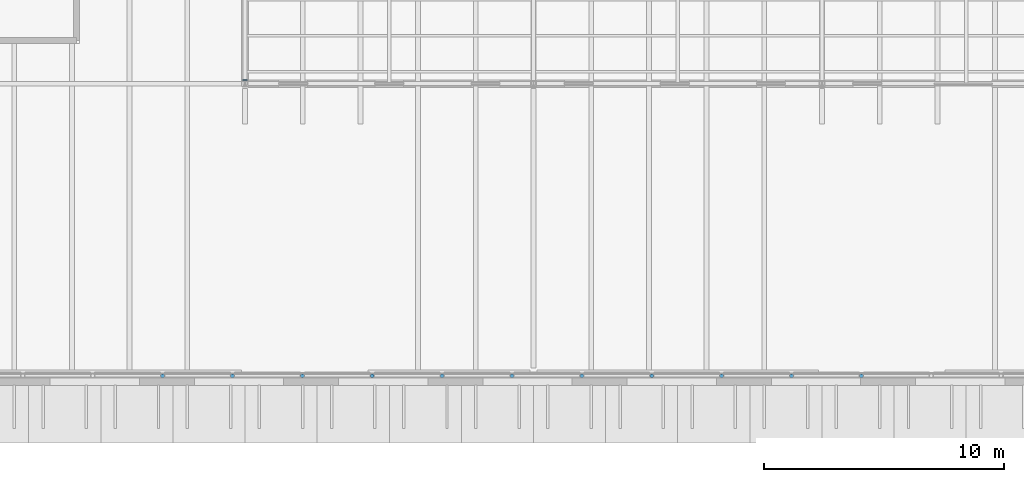
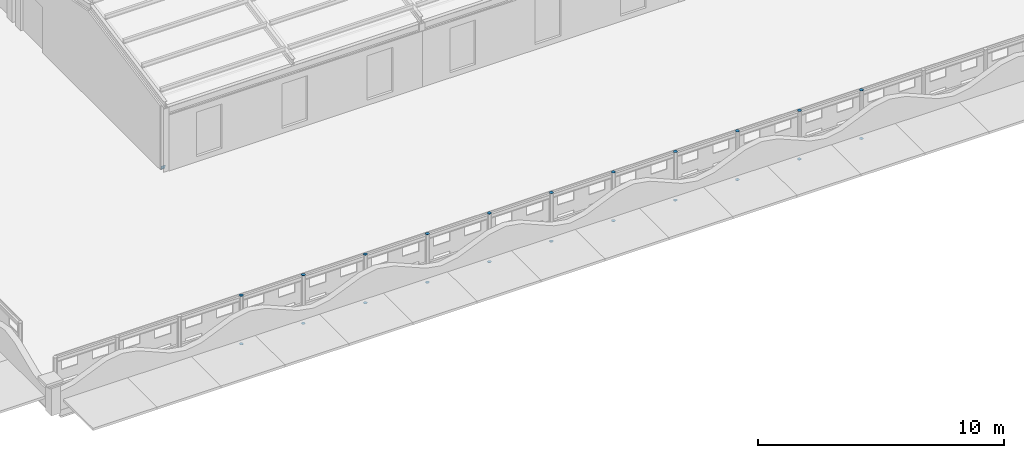
# One storey, part 74 of 91: 23 discrete accessories.
"""IFC4 building model written with IfcOpenShell, lengths in metres."""

from ifc_helpers import new_model, si_unit, direction, frame, origin, origin_2d, place, context, subcontext, project, spatial, rectangle, circle, extrude, material, material_profile, profile_set, type_object, element, save


model = new_model("IFC4")

# Units and contexts
model_context = context("Model", 3, precision=1e-05, world=origin(), true_north=direction((0.0, 1.0)))
body_context = subcontext(model_context, "Body", "Model", "MODEL_VIEW")
ifc_project = project(units=[si_unit("LENGTHUNIT", "METRE"), si_unit("AREAUNIT", "SQUARE_METRE"), si_unit("VOLUMEUNIT", "CUBIC_METRE"), si_unit("PLANEANGLEUNIT", "RADIAN"), si_unit("MASSUNIT", "GRAM", prefix="KILO")], contexts=[model_context])

# Site, building, storey
site_placement = place(None, origin())
site = spatial("IfcSite", under=ifc_project, at=site_placement, CompositionType="ELEMENT")
building_placement = place(site_placement, origin())
building = spatial("IfcBuilding", under=site, at=building_placement, Name="Ravi Spectrum Wholesale Market", CompositionType="ELEMENT")
storey_placement = place(building_placement, frame((0.0, 0.0, 16.199951171875)))
storey = spatial("IfcBuildingStorey", under=building, at=storey_placement, Name="ROOF PLANT LEVEL", CompositionType="ELEMENT", Elevation=16.199951171875)

# Discrete accessories
ifc_material_1 = material(Name="Steel S355", Category="steel")
ifc_material_profile_1 = material_profile(ifc_material_1, circle(Radius=0.084228515625, at=origin_2d()))
ifc_profile_set_1 = profile_set([ifc_material_profile_1], Name="Steel S355")
discrete_accessory_type_1 = type_object("IfcDiscreteAccessoryType", Name="End plate CHS 168.3x6.3", PredefinedType="BRACKET", material=ifc_profile_set_1)
for number, where, z_axis, x_axis, name in (
    (1, (206.57080078125, 17.85009765625, 0.0), (0.0, 0.0, -1.0), (1.0, 0.0, 0.0), "End plate"),
    (2, (206.57080078125, 17.85009765625, 2.400146484375), (0.0, 0.0, 1.0), (1.0, 0.0, 0.0), "End plate"),
    (3, (209.4775390625, 17.85009765625, 0.0), (0.0, 0.0, -1.0), (1.0, 0.0, 0.0), "End plate"),
    (4, (209.4775390625, 17.85009765625, 2.400146484375), (0.0, 0.0, 1.0), (1.0, 0.0, 0.0), "End plate"),
    (5, (212.384521484375, 17.85009765625, 0.0), (0.0, 0.0, -1.0), (1.0, 0.0, 0.0), "End plate"),
    (6, (212.384521484375, 17.85009765625, 2.400146484375), (0.0, 0.0, 1.0), (1.0, 0.0, 0.0), "End plate"),
    (7, (215.291259765625, 17.85009765625, 0.0), (0.0, 0.0, -1.0), (1.0, 0.0, 0.0), "End plate"),
    (8, (215.291259765625, 17.85009765625, 2.400146484375), (0.0, 0.0, 1.0), (1.0, 0.0, 0.0), "End plate"),
    (9, (218.1982421875, 17.85009765625, 0.0), (0.0, 0.0, -1.0), (1.0, 0.0, 0.0), "End plate"),
    (10, (218.1982421875, 17.85009765625, 2.400146484375), (0.0, 0.0, 1.0), (1.0, 0.0, 0.0), "End plate"),
    (11, (221.105224609375, 17.85009765625, 0.0), (0.0, 0.0, -1.0), (1.0, 0.0, 0.0), "End plate"),
    (12, (221.105224609375, 17.85009765625, 2.400146484375), (0.0, 0.0, 1.0), (1.0, 0.0, 0.0), "End plate"),
    (13, (224.011962890625, 17.85009765625, 0.0), (0.0, 0.0, -1.0), (1.0, 0.0, 0.0), "End plate"),
    (14, (224.011962890625, 17.85009765625, 2.400146484375), (0.0, 0.0, 1.0), (1.0, 0.0, 0.0), "End plate"),
    (15, (226.9189453125, 17.85009765625, 0.0), (0.0, 0.0, -1.0), (1.0, 0.0, 0.0), "End plate"),
    (16, (226.9189453125, 17.85009765625, 2.400146484375), (0.0, 0.0, 1.0), (1.0, 0.0, 0.0), "End plate"),
    (17, (229.825927734375, 17.85009765625, 0.0), (0.0, 0.0, -1.0), (1.0, 0.0, 0.0), "End plate"),
    (18, (229.825927734375, 17.85009765625, 2.400146484375), (0.0, 0.0, 1.0), (1.0, 0.0, 0.0), "End plate"),
    (19, (232.732666015625, 17.85009765625, 0.0), (0.0, 0.0, -1.0), (1.0, 0.0, 0.0), "End plate"),
    (20, (232.732666015625, 17.85009765625, 2.400146484375), (0.0, 0.0, 1.0), (1.0, 0.0, 0.0), "End plate"),
    (21, (235.6396484375, 17.85009765625, 0.0), (0.0, 0.0, -1.0), (1.0, 0.0, 0.0), "End plate"),
    (22, (235.6396484375, 17.85009765625, 2.400146484375), (0.0, 0.0, 1.0), (1.0, 0.0, 0.0), "End plate"),
):
    element("IfcDiscreteAccessory", number, at=place(storey_placement, frame(where, z_axis=z_axis, x_axis=x_axis)), inside=storey, type_object=discrete_accessory_type_1, Name=name, PredefinedType="BRACKET", context=body_context, shape_type="SweptSolid", body=[
        extrude(circle(Radius=0.084228515625, at=origin_2d()), origin(), (0.0, 0.0, 1.0), 0.011962890625),
    ])
ifc_material_2 = material(Name="Steel S355", Category="steel")
ifc_material_profile_2 = material_profile(ifc_material_2, rectangle(XDim=0.199951171875, YDim=0.199951171875, at=origin_2d()))
ifc_profile_set_2 = profile_set([ifc_material_profile_2], Name="Steel S355")
discrete_accessory_type_2 = type_object("IfcDiscreteAccessoryType", Name="End plate SHS 200x200x8", PredefinedType="BRACKET", material=ifc_profile_set_2)
discrete_accessory_placement = place(storey_placement, frame((210.0, 30.14453125, 0.096923828125), z_axis=(0.0, -0.970142500145, -0.242535625036), x_axis=(1.0, 0.0, 0.0)))
element("IfcDiscreteAccessory", 23, at=discrete_accessory_placement, inside=storey, type_object=discrete_accessory_type_2, Name="End plate", PredefinedType="BRACKET", context=body_context, shape_type="SweptSolid", body=[
    extrude(rectangle(XDim=0.199951171875, YDim=0.199951171875, at=origin_2d()), origin(), (0.0, 0.0, 1.0), 0.011962890625),
])

save(model, "model.ifc")
